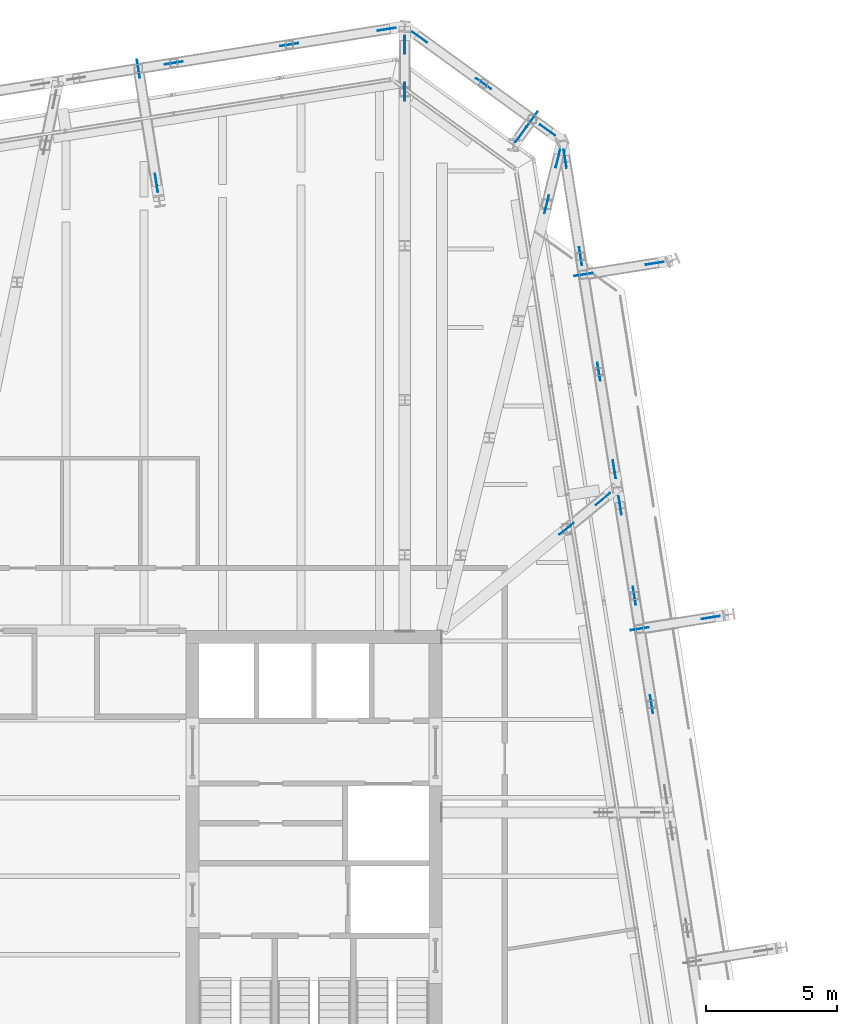
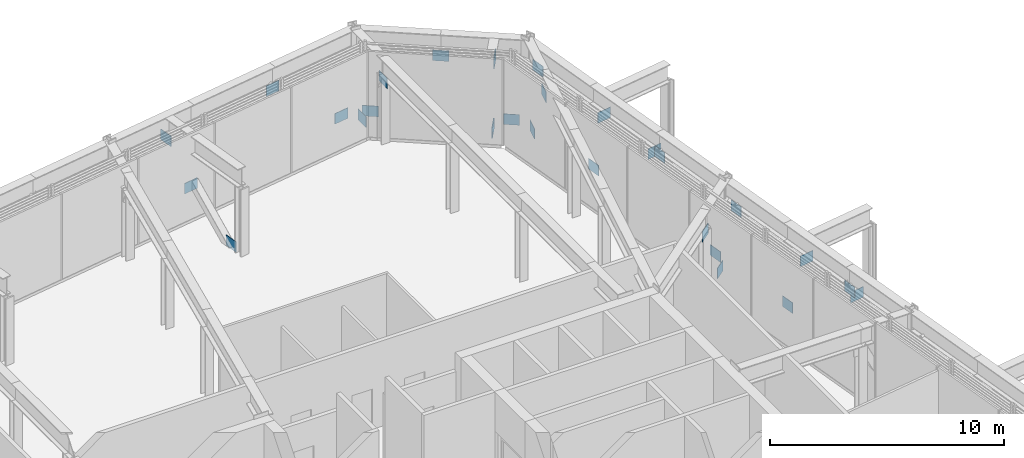
# One storey, part 32 of 35: 27 discrete accessories.
"""IFC4 building model written with IfcOpenShell, lengths in metres."""

from ifc_helpers import new_model, si_unit, direction, frame, origin, origin_2d, place, context, subcontext, project, spatial, rectangle, extrude, material, layer, layer_set, type_object, element, save


model = new_model("IFC4")

# Units and contexts
model_context = context("Model", 3, precision=1e-05, world=origin(), true_north=direction((0.0, 1.0)))
body_context = subcontext(model_context, "Body", "Model", "MODEL_VIEW")
ifc_project = project(units=[si_unit("LENGTHUNIT", "METRE"), si_unit("AREAUNIT", "SQUARE_METRE"), si_unit("VOLUMEUNIT", "CUBIC_METRE"), si_unit("PLANEANGLEUNIT", "RADIAN"), si_unit("MASSUNIT", "GRAM", prefix="KILO")], contexts=[model_context])

# Site, building, storey
site_placement = place(None, origin())
site = spatial("IfcSite", under=ifc_project, at=site_placement, CompositionType="ELEMENT")
building_placement = place(site_placement, origin())
building = spatial("IfcBuilding", under=site, at=building_placement, Name="Millrace Tower", CompositionType="ELEMENT")
storey_placement = place(building_placement, frame((0.0, 0.0, 200.10009765625)))
storey = spatial("IfcBuildingStorey", under=building, at=storey_placement, Name="L45", CompositionType="ELEMENT", Elevation=200.10009765625)

# Discrete accessories
ifc_material = material(Name="Steel ASTM A572 Grade 50", Category="steel")
ifc_layer = layer(ifc_material, 0.02490234375)
ifc_layer_set = layer_set([ifc_layer], Name="Steel ASTM A572 Grade 50")
discrete_accessory_type = type_object("IfcDiscreteAccessoryType", Name="Truss gusset plate 700x550x25", PredefinedType="BRACKET", material=ifc_layer_set)
for number, where, z_axis, x_axis, name in (
    (1, (22.365966796875, 6.932373046875, 3.217529296875), (0.156589351913, -0.987663796475, 0.0), (0.987663796475, 0.156589351913, 0.0), "Truss gusset plate TRS-L45-R07-D01 head"),
    (2, (21.708984375, 11.080810546875, 0.114990234375), (0.156249124184, -0.987717677878, 0.0), (0.987717677878, 0.156249124184, 0.0), "Truss gusset plate TRS-L45-R07-D02 foot"),
    (3, (21.161376953125, 14.53759765625, 3.217529296875), (0.156589351913, -0.987663796475, 0.0), (0.987663796475, 0.156589351913, 0.0), "Truss gusset plate TRS-L45-R07-D03 head"),
    (4, (20.9423828125, 15.92041015625, 0.114990234375), (0.156589351913, -0.987663796475, 0.0), (0.987663796475, 0.156589351913, 0.0), "Truss gusset plate TRS-L45-R08-D01 foot"),
    (5, (20.351806640625, 19.64990234375, 3.217529296875), (0.156249124184, -0.987717677878, 0.0), (0.987717677878, 0.156249124184, 0.0), "Truss gusset plate TRS-L45-R08-D01 head"),
    (6, (19.651611328125, 24.071044921875, 0.114990234375), (0.156249124184, -0.987717677878, 0.0), (0.987717677878, 0.156249124184, 0.0), "Truss gusset plate TRS-L45-R08-D02 foot"),
    (7, (19.060791015625, 27.80078125, 3.217529296875), (0.156589351913, -0.987663796475, 0.0), (0.987663796475, 0.156589351913, 0.0), "Truss gusset plate TRS-L45-R08-D03 head"),
):
    element("IfcDiscreteAccessory", number, at=place(storey_placement, frame(where, z_axis=z_axis, x_axis=x_axis)), inside=storey, type_object=discrete_accessory_type, Name=name, PredefinedType="BRACKET", context=body_context, shape_type="SweptSolid", body=[
        extrude(rectangle(XDim=0.02490234375, YDim=0.550048828125, at=origin_2d()), origin(), (0.0, 0.0, 1.0), 0.699951171875),
    ])
discrete_accessory_1_placement = place(storey_placement, frame((18.156494140625, 28.763671875, 0.114990234375), z_axis=(0.80894712746, -0.587881403835, 0.0), x_axis=(0.587881403835, 0.80894712746, 0.0)))
element("IfcDiscreteAccessory", 8, at=discrete_accessory_1_placement, inside=storey, type_object=discrete_accessory_type, Name="Truss gusset plate TRS-L45-R09-D01 foot", PredefinedType="BRACKET", context=body_context, shape_type="SweptSolid", body=[
    extrude(rectangle(XDim=0.02490234375, YDim=0.550048828125, at=origin_2d()), origin(), (0.0, 0.0, 1.0), 0.7001953125),
])
discrete_accessory_2_placement = place(storey_placement, frame((15.707275390625, 30.543212890625, 3.217529296875), z_axis=(0.808826569644, -0.588047260207, 0.0), x_axis=(0.588047260207, 0.808826569644, 0.0)))
element("IfcDiscreteAccessory", 9, at=discrete_accessory_2_placement, inside=storey, type_object=discrete_accessory_type, Name="Truss gusset plate TRS-L45-R09-D01 head", PredefinedType="BRACKET", context=body_context, shape_type="SweptSolid", body=[
    extrude(rectangle(XDim=0.02490234375, YDim=0.550048828125, at=origin_2d()), origin(), (0.0, 0.0, 1.0), 0.699951171875),
])
discrete_accessory_3_placement = place(storey_placement, frame((13.2578125, 32.32275390625, 0.114990234375), z_axis=(0.80894712746, -0.587881403835, 0.0), x_axis=(0.587881403835, 0.80894712746, 0.0)))
element("IfcDiscreteAccessory", 10, at=discrete_accessory_3_placement, inside=storey, type_object=discrete_accessory_type, Name="Truss gusset plate TRS-L45-R09-D02 foot", PredefinedType="BRACKET", context=body_context, shape_type="SweptSolid", body=[
    extrude(rectangle(XDim=0.02490234375, YDim=0.550048828125, at=origin_2d()), origin(), (0.0, 0.0, 1.0), 0.7001953125),
])
for number, where, z_axis, x_axis, name in (
    (11, (11.9375, 32.3642578125, 0.114990234375), (0.987717677878, 0.156249124184, 0.0), (-0.156249124184, 0.987717677878, 0.0), "Truss gusset plate TRS-L45-R10-D01 foot"),
    (12, (8.2080078125, 31.7734375, 3.217529296875), (0.987717677878, 0.156249124184, 0.0), (-0.156249124184, 0.987717677878, 0.0), "Truss gusset plate TRS-L45-R10-D01 head"),
    (13, (3.786865234375, 31.0732421875, 0.114990234375), (0.987717677878, 0.156249124184, 0.0), (-0.156249124184, 0.987717677878, 0.0), "Truss gusset plate TRS-L45-R10-D02 foot"),
):
    element("IfcDiscreteAccessory", number, at=place(storey_placement, frame(where, z_axis=z_axis, x_axis=x_axis)), inside=storey, type_object=discrete_accessory_type, Name=name, PredefinedType="BRACKET", context=body_context, shape_type="SweptSolid", body=[
        extrude(rectangle(XDim=0.02490234375, YDim=0.550048828125, at=origin_2d()), origin(), (0.0, 0.0, 1.0), 0.699951171875),
    ])
discrete_accessory_4_placement = place(storey_placement, frame((20.293701171875, 14.21875, 0.114990234375), z_axis=(0.774190311834, 0.632952890081, 0.0), x_axis=(-0.632952890081, 0.774190311834, 0.0)))
element("IfcDiscreteAccessory", 14, at=discrete_accessory_4_placement, inside=storey, type_object=discrete_accessory_type, Name="Truss gusset plate TRS-L45-C08-D01 foot", PredefinedType="BRACKET", context=body_context, shape_type="SweptSolid", body=[
    extrude(rectangle(XDim=0.02490234375, YDim=0.550048828125, at=origin_2d()), origin(), (0.0, 0.0, 1.0), 0.7001953125),
])
for number, where, z_axis, x_axis, name in (
    (15, (18.900390625, 13.079345703125, 3.217529296875), (0.774050542007, 0.633123809708, 0.0), (-0.633123809708, 0.774050542007, 0.0), "Truss gusset plate TRS-L45-C08-D01 head"),
    (16, (18.755615234375, 27.126708984375, 0.114990234375), (0.23859399274, 0.971119409047, 0.0), (-0.971119409047, 0.23859399274, 0.0), "Truss gusset plate TRS-L45-C09-D01 foot"),
):
    element("IfcDiscreteAccessory", number, at=place(storey_placement, frame(where, z_axis=z_axis, x_axis=x_axis)), inside=storey, type_object=discrete_accessory_type, Name=name, PredefinedType="BRACKET", context=body_context, shape_type="SweptSolid", body=[
        extrude(rectangle(XDim=0.02490234375, YDim=0.550048828125, at=origin_2d()), origin(), (0.0, 0.0, 1.0), 0.699951171875),
    ])
discrete_accessory_5_placement = place(storey_placement, frame((18.325927734375, 25.378662109375, 3.217529296875), z_axis=(0.238513196177, 0.971139256363, 0.0), x_axis=(-0.971139256363, 0.238513196177, 0.0)))
element("IfcDiscreteAccessory", 17, at=discrete_accessory_5_placement, inside=storey, type_object=discrete_accessory_type, Name="Truss gusset plate TRS-L45-C09-D01 head", PredefinedType="BRACKET", context=body_context, shape_type="SweptSolid", body=[
    extrude(rectangle(XDim=0.02490234375, YDim=0.550048828125, at=origin_2d()), origin(), (0.0, 0.0, 1.0), 0.7001953125),
])
for number, where, z_axis, x_axis, name in (
    (18, (12.974609375, 31.478515625, 0.114990234375), (0.0, 1.0, 0.0), (-1.0, 0.0, 0.0), "Truss gusset plate TRS-L45-C10-D01 foot"),
    (19, (12.974609375, 29.678466796875, 3.217529296875), (0.0, 1.0, 0.0), (-1.0, 0.0, 0.0), "Truss gusset plate TRS-L45-C10-D01 head"),
    (20, (24.340087890625, 9.845458984375, 0.114990234375), (0.987717677878, 0.156249124184, 0.0), (-0.156249124184, 0.987717677878, 0.0), "Truss gusset plate TRS-L45-B-C-X08-D01 foot"),
    (21, (21.618408203125, 9.414306640625, 3.217529296875), (0.987663796475, 0.156589351913, 0.0), (-0.156589351913, 0.987663796475, 0.0), "Truss gusset plate TRS-L45-B-C-X08-D01 head"),
    (22, (22.1923828125, 23.40478515625, 0.114990234375), (0.987663796475, 0.156589351913, 0.0), (-0.156589351913, 0.987663796475, 0.0), "Truss gusset plate TRS-L45-B-C-X09-D01 foot"),
    (23, (19.470947265625, 22.973876953125, 3.217529296875), (0.987717677878, 0.156249124184, 0.0), (-0.156249124184, 0.987717677878, 0.0), "Truss gusset plate TRS-L45-B-C-X09-D01 head"),
    (24, (17.22216796875, 28.1044921875, 0.114990234375), (0.587653156371, 0.809112951205, 0.0), (-0.809112951205, 0.587653156371, 0.0), "Truss gusset plate TRS-L45-B-C-X10-D01 foot"),
    (25, (17.652587890625, 28.697021484375, 3.217529296875), (0.588047260207, 0.808826569644, 0.0), (-0.808826569644, 0.588047260207, 0.0), "Truss gusset plate TRS-L45-B-C-X10-D01 head"),
    (26, (3.417236328125, 26.882080078125, 0.114990234375), (0.156589351913, -0.987663796475, 0.0), (0.987663796475, 0.156589351913, 0.0), "Truss gusset plate TRS-L45-B-C-X11-D01 foot"),
    (27, (2.72412109375, 31.25927734375, 3.217529296875), (0.156249124184, -0.987717677878, 0.0), (0.987717677878, 0.156249124184, 0.0), "Truss gusset plate TRS-L45-B-C-X11-D01 head"),
):
    element("IfcDiscreteAccessory", number, at=place(storey_placement, frame(where, z_axis=z_axis, x_axis=x_axis)), inside=storey, type_object=discrete_accessory_type, Name=name, PredefinedType="BRACKET", context=body_context, shape_type="SweptSolid", body=[
        extrude(rectangle(XDim=0.02490234375, YDim=0.550048828125, at=origin_2d()), origin(), (0.0, 0.0, 1.0), 0.699951171875),
    ])

save(model, "model.ifc")
